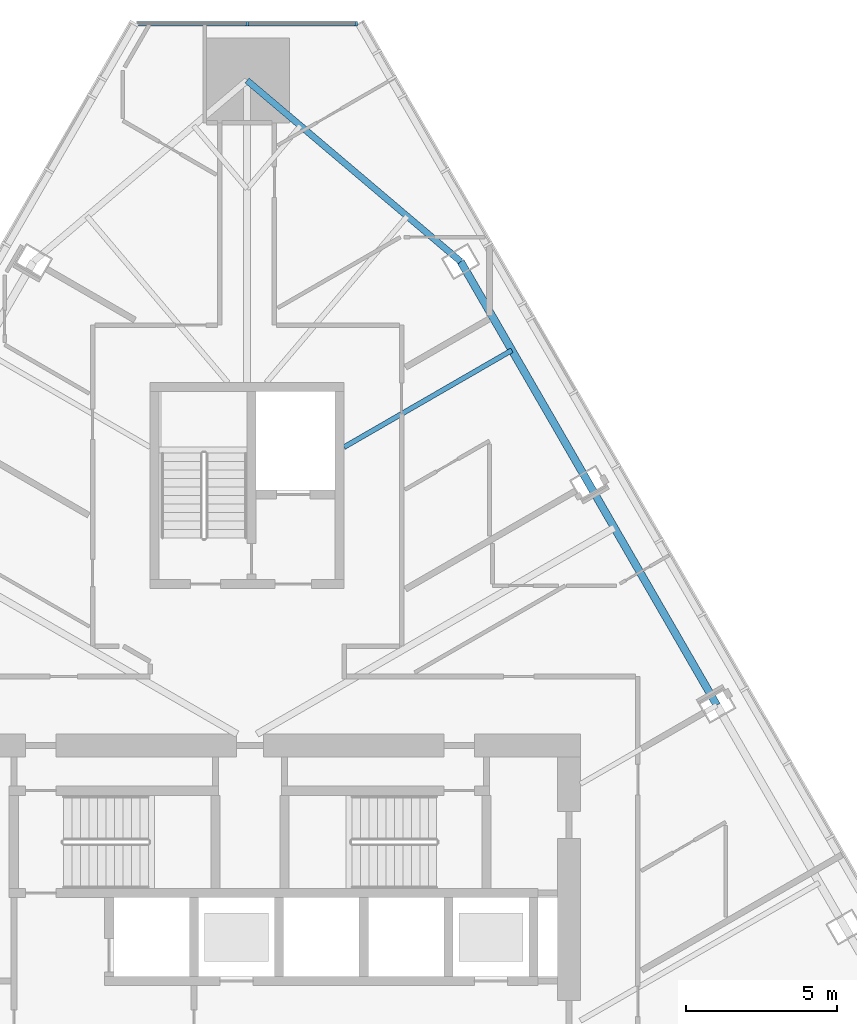
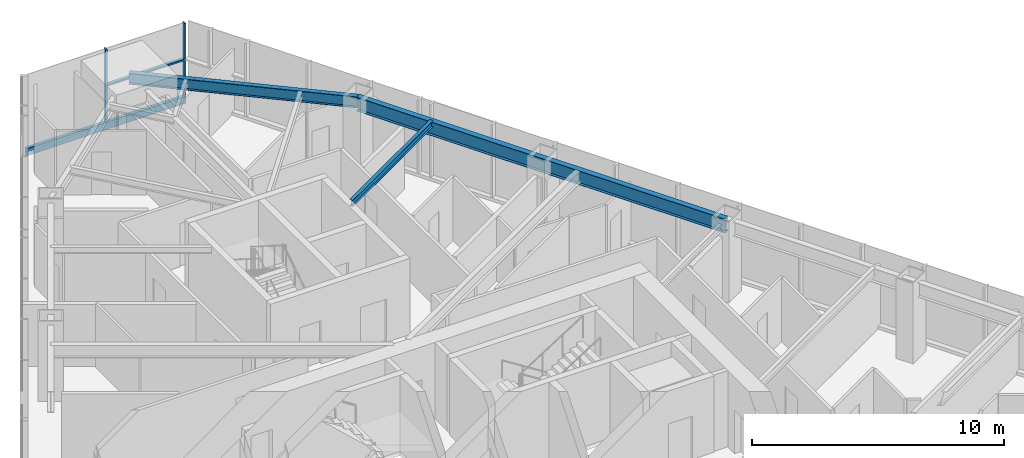
# One storey, part 11 of 20: 4 members, 3 beams, 1 element without a shape of its own.
"""IFC4 building model written with IfcOpenShell, lengths in metres."""

import ifcopenshell
import ifcopenshell.guid

model = None  # the IFC model being written
_history = None  # IfcOwnerHistory: only IFC2X3 demands one
_inside = {}  # id of a spatial element -> (the spatial element, [elements in it])
_under = {}  # id of a project, library or spatial element -> (it, [spatial elements below it])
_declared = {}  # id of a project -> (the project, [libraries it declares])
_typed = {}  # id of a type object -> (the type object, [elements of that type])
_made_of = {}  # id of a material, layer set ... -> (it, [elements and type objects made of it])


def new_model(schema):
    """Start an empty IFC model of exactly this schema.

    Asked for "IFC4X3", IfcOpenShell would pick the latest addendum, in which some entities
    have other attributes; the version numbers below select the first issue.
    IFC2X3 requires an IfcOwnerHistory on every rooted entity: one is made here for all.
    """
    global model, _history
    if schema == "IFC4X3":
        model = ifcopenshell.file(schema_version=(4, 3, 0, 0))
    else:
        model = ifcopenshell.file(schema=schema)
    _inside.clear()
    _under.clear()
    _declared.clear()
    _typed.clear()
    _made_of.clear()
    _history = None
    if model.schema == "IFC2X3":
        org = make("IfcOrganization", Name="unknown")
        user = make(
            "IfcPersonAndOrganization",
            ThePerson=make("IfcPerson", FamilyName="unknown"),
            TheOrganization=org,
        )
        app = make(
            "IfcApplication",
            ApplicationDeveloper=org,
            Version="unknown",
            ApplicationFullName="unknown",
            ApplicationIdentifier="unknown",
        )
        _history = make(
            "IfcOwnerHistory",
            OwningUser=user,
            OwningApplication=app,
            ChangeAction="ADDED",
            CreationDate=0,
        )
    return model


def make(cls, **values):
    """One entity of the class cls with the attributes given. An attribute that is None is left unset."""
    return model.create_entity(
        cls, **{name: value for name, value in values.items() if value is not None}
    )


def rooted(cls, **values):
    """An entity with a GlobalId (a new one), such as an element, a storey or a relation."""
    return make(cls, GlobalId=ifcopenshell.guid.new(), OwnerHistory=_history, **values)


def si_unit(unit_type, name, prefix=None):
    """IfcSIUnit, for example si_unit("LENGTHUNIT", "METRE", prefix="MILLI")."""
    return make("IfcSIUnit", UnitType=unit_type, Prefix=prefix, Name=name)


def assignment(units):
    """IfcUnitAssignment: the units of a project."""
    return None if units is None else make("IfcUnitAssignment", Units=units)


def point(xyz):
    """IfcCartesianPoint."""
    return None if xyz is None else make("IfcCartesianPoint", Coordinates=xyz)


def direction(xyz):
    """IfcDirection."""
    return None if xyz is None else make("IfcDirection", DirectionRatios=xyz)


def frame(location, z_axis=None, x_axis=None):
    """IfcAxis2Placement3D, a coordinate frame: its origin and axes. An axis left out is left unset."""
    return make(
        "IfcAxis2Placement3D",
        Location=point(location),
        Axis=direction(z_axis),
        RefDirection=direction(x_axis),
    )


def frame_2d(location, x_axis=None):
    """IfcAxis2Placement2D, a coordinate frame in the plane: its origin and x axis."""
    return make(
        "IfcAxis2Placement2D", Location=point(location), RefDirection=direction(x_axis)
    )


def origin():
    """The frame at (0, 0, 0) with its axes left unset."""
    return frame((0.0, 0.0, 0.0))


def origin_2d():
    """The frame at (0, 0) in the plane with its x axis left unset."""
    return frame_2d((0.0, 0.0))


def place(relative_to, where):
    """IfcLocalPlacement: puts the frame where relative to a parent placement (None: the world)."""
    return make(
        "IfcLocalPlacement", PlacementRelTo=relative_to, RelativePlacement=where
    )


def context(
    kind, dimensions, precision=None, world=None, true_north=None, identifier=None
):
    """IfcGeometricRepresentationContext, for example the 3D "Model" context."""
    return make(
        "IfcGeometricRepresentationContext",
        ContextIdentifier=identifier,
        ContextType=kind,
        CoordinateSpaceDimension=dimensions,
        Precision=precision,
        WorldCoordinateSystem=world,
        TrueNorth=true_north,
    )


def subcontext(parent, identifier, kind, view, scale=None):
    """IfcGeometricRepresentationSubContext, for example "Body" below "Model"."""
    return make(
        "IfcGeometricRepresentationSubContext",
        ContextIdentifier=identifier,
        ContextType=kind,
        ParentContext=parent,
        TargetScale=scale,
        TargetView=view,
    )


def project(units=None, contexts=None):
    """IfcProject with its units and contexts."""
    return rooted(
        "IfcProject",
        Name="project",
        RepresentationContexts=contexts,
        UnitsInContext=assignment(units),
    )


def spatial(cls, under=None, at=None, **own):
    """A site, building, storey or space (cls), placed at a placement, below another one or the project."""
    s = rooted(cls, ObjectPlacement=at, **own)
    if under is not None:
        _under.setdefault(under.id(), (under, []))[1].append(s)
    return s


def profile(cls, at=None, kind="AREA", **sizes):
    """A parametric profile (cls). Its sizes go by their IFC names, for example OverallWidth=200.0."""
    return make(cls, ProfileType=kind, Position=at, **sizes)


def rectangle(**sizes):
    """IfcRectangleProfileDef."""
    return profile("IfcRectangleProfileDef", **sizes)


def i_section(**sizes):
    """IfcIShapeProfileDef."""
    return profile("IfcIShapeProfileDef", **sizes)


def extrude(swept, where, along, depth):
    """IfcExtrudedAreaSolid: the profile swept, set in the frame where, extruded along a direction by depth."""
    return make(
        "IfcExtrudedAreaSolid",
        SweptArea=swept,
        Position=where,
        ExtrudedDirection=direction(along),
        Depth=depth,
    )


def shape(context_of_items, identifier, shape_type, items):
    """IfcShapeRepresentation: the items that make up one representation, for example the "Body"."""
    return make(
        "IfcShapeRepresentation",
        ContextOfItems=context_of_items,
        RepresentationIdentifier=identifier,
        RepresentationType=shape_type,
        Items=items,
    )


def material(Name=None, Category=None):
    """IfcMaterial."""
    return make("IfcMaterial", Name=Name, Category=Category)


def layer(
    of_material, thickness, ventilated=None, Name=None, Category=None, Priority=None
):
    """IfcMaterialLayer: one layer of a wall or slab, of a material (None: an air gap)."""
    return make(
        "IfcMaterialLayer",
        Material=of_material,
        LayerThickness=thickness,
        IsVentilated=ventilated,
        Name=Name,
        Category=Category,
        Priority=Priority,
    )


def layer_set(layers, Name=None):
    """IfcMaterialLayerSet."""
    return make("IfcMaterialLayerSet", MaterialLayers=layers, LayerSetName=Name)


def material_profile(
    of_material, cross_section, Name=None, Category=None, Priority=None
):
    """IfcMaterialProfile: a cross section and its material."""
    return make(
        "IfcMaterialProfile",
        Name=Name,
        Material=of_material,
        Profile=cross_section,
        Priority=Priority,
        Category=Category,
    )


def profile_set(profiles, Name=None, composite=None):
    """IfcMaterialProfileSet."""
    return make(
        "IfcMaterialProfileSet",
        Name=Name,
        MaterialProfiles=profiles,
        CompositeProfile=composite,
    )


def made_of(thing, what):
    """Note that an element or type object is made of a material, layer set ...; save() writes the relation."""
    if what is not None:
        _made_of.setdefault(what.id(), (what, []))[1].append(thing)
    return thing


def type_object(cls, material=None, **own):
    """A type object (cls), such as IfcWallType, which elements share."""
    return made_of(rooted(cls, **own), material)


def element(
    cls,
    number,
    at=None,
    inside=None,
    cuts=None,
    type_object=None,
    material=None,
    context=None,
    identifier="Body",
    shape_type=None,
    held_by="IfcProductDefinitionShape",
    body=None,
    shapes=None,
    **own,
):
    """One element of the class cls, such as IfcWall. Its Tag is "e" and its number.

    at: its placement. inside: the storey or other place that contains it. cuts: it is an
    opening in that element (IfcRelVoidsElement). A single representation is given by context,
    identifier, shape_type and body (its items); several are given by shapes. held_by: the class
    of the entity that holds the representations. save() writes the other relations.
    """
    e = rooted(cls, Tag="e%d" % number, ObjectPlacement=at, **own)
    if body is not None:
        shapes = [shape(context, identifier, shape_type, body)]
    if shapes is not None:
        e.Representation = make(held_by, Representations=shapes)
    if inside is not None:
        _inside.setdefault(inside.id(), (inside, []))[1].append(e)
    if cuts is not None:
        rooted(
            "IfcRelVoidsElement", RelatingBuildingElement=cuts, RelatedOpeningElement=e
        )
    if type_object is not None:
        _typed.setdefault(type_object.id(), (type_object, []))[1].append(e)
    return made_of(e, material)


def aggregate(whole, parts):
    """IfcRelAggregates: a whole, such as a stair, and the parts it consists of."""
    return rooted("IfcRelAggregates", RelatingObject=whole, RelatedObjects=parts)


def save(model, path):
    """Write the relations noted so far, then the file.

    IfcRelAggregates (storeys below a building ...), IfcRelContainedInSpatialStructure (elements
    in a storey), IfcRelDefinesByType, IfcRelAssociatesMaterial and IfcRelDeclares: one each for
    every whole, place, type object, material and project.
    """
    for whole, parts in _under.values():
        aggregate(whole, parts)
    for where, things in _inside.values():
        rooted(
            "IfcRelContainedInSpatialStructure",
            RelatedElements=things,
            RelatingStructure=where,
        )
    for kind, things in _typed.values():
        rooted("IfcRelDefinesByType", RelatedObjects=things, RelatingType=kind)
    for what, things in _made_of.values():
        rooted("IfcRelAssociatesMaterial", RelatedObjects=things, RelatingMaterial=what)
    for by, libraries in _declared.values():
        rooted("IfcRelDeclares", RelatingContext=by, RelatedDefinitions=libraries)
    model.write(path)


model = new_model("IFC4")

# Units and contexts
model_context = context("Model", 3, precision=1e-05, world=origin(), true_north=direction((0.0, 1.0)))
body_context = subcontext(model_context, "Body", "Model", "MODEL_VIEW")
ifc_project = project(units=[si_unit("LENGTHUNIT", "METRE"), si_unit("AREAUNIT", "SQUARE_METRE"), si_unit("VOLUMEUNIT", "CUBIC_METRE"), si_unit("PLANEANGLEUNIT", "RADIAN"), si_unit("MASSUNIT", "GRAM", prefix="KILO")], contexts=[model_context])

# Site, building, storey
site_placement = place(None, origin())
site = spatial("IfcSite", under=ifc_project, at=site_placement, CompositionType="ELEMENT")
building_placement = place(site_placement, origin())
building = spatial("IfcBuilding", under=site, at=building_placement, Name="Firuza Gate Tower and Library", CompositionType="ELEMENT")
storey_placement = place(building_placement, frame((0.0, 0.0, 214.300048828125)))
storey = spatial("IfcBuildingStorey", under=building, at=storey_placement, Name="L50", CompositionType="ELEMENT", Elevation=214.300048828125)

# Curtain wall, members
ifc_material_1 = material(Name="Aluminium 6063-T6", Category="aluminium")
ifc_layer = layer(ifc_material_1, 0.14990234375)
ifc_layer_set = layer_set([ifc_layer], Name="Corner curtain wall, chamfers")
curtain_wall_type = type_object("IfcCurtainWallType", Name="Corner curtain wall, chamfers", PredefinedType="NOTDEFINED", material=ifc_layer_set)
curtain_wall_placement = place(storey_placement, origin())
curtain_wall = element("IfcCurtainWall", 1, at=curtain_wall_placement, inside=storey, type_object=curtain_wall_type, Name="CW4 L50 N corner", PredefinedType="NOTDEFINED")
ifc_material_2 = material(Name="Aluminium 6063-T6", Category="aluminium")
ifc_material_profile_1 = material_profile(ifc_material_2, rectangle(XDim=0.14990234375, YDim=0.080078125, at=origin_2d()))
ifc_profile_set_1 = profile_set([ifc_material_profile_1], Name="Aluminium 6063-T6")
member_type_1 = type_object("IfcMemberType", Name="Curtain wall mullion 80x150", PredefinedType="MULLION", material=ifc_profile_set_1)
member_1_placement = place(storey_placement, frame((78.603271484375, 106.44482421875, 0.14990234375), z_axis=(0.0, 0.0, 1.0), x_axis=(0.0, -1.0, 0.0)))
member_1 = element("IfcMember", 2, at=member_1_placement, type_object=member_type_1, Name="Mullion", PredefinedType="MULLION", context=body_context, shape_type="SweptSolid", body=[
    extrude(rectangle(XDim=0.14990234375, YDim=0.080078125, at=origin_2d()), origin(), (0.0, 0.0, 1.0), 3.550048828125),
])
member_2_placement = place(storey_placement, frame((75.0, 106.44482421875, 0.14990234375), z_axis=(0.0, 0.0, 1.0), x_axis=(0.0, -1.0, 0.0)))
member_2 = element("IfcMember", 3, at=member_2_placement, type_object=member_type_1, Name="Mullion", PredefinedType="MULLION", context=body_context, shape_type="SweptSolid", body=[
    extrude(rectangle(XDim=0.14990234375, YDim=0.080078125, at=origin_2d()), origin(), (0.0, 0.0, 1.0), 3.550048828125),
])
ifc_material_3 = material(Name="Aluminium 6063-T6", Category="aluminium")
ifc_material_profile_2 = material_profile(ifc_material_3, rectangle(XDim=0.14990234375, YDim=0.35009765625, at=origin_2d()))
ifc_profile_set_2 = profile_set([ifc_material_profile_2], Name="Aluminium 6063-T6")
member_type_2 = type_object("IfcMemberType", Name="Curtain wall transom 350x150", PredefinedType="USERDEFINED", material=ifc_profile_set_2)
member_3_placement = place(storey_placement, frame((78.643310546875, 106.44482421875, -0.025146484375), z_axis=(-1.0, 0.0, 0.0), x_axis=(0.0, -1.0, 0.0)))
member_3 = element("IfcMember", 4, at=member_3_placement, type_object=member_type_2, Name="Transom", ObjectType="TRANSOM", PredefinedType="USERDEFINED", context=body_context, shape_type="SweptSolid", body=[
    extrude(rectangle(XDim=0.14990234375, YDim=0.35009765625, at=origin_2d()), origin(), (0.0, 0.0, 1.0), 7.28662109375),
])
ifc_material_4 = material(Name="Aluminium 6063-T6", Category="aluminium")
ifc_material_profile_3 = material_profile(ifc_material_4, rectangle(XDim=0.14990234375, YDim=0.080078125, at=origin_2d()))
ifc_profile_set_3 = profile_set([ifc_material_profile_3], Name="Aluminium 6063-T6")
member_type_3 = type_object("IfcMemberType", Name="Curtain wall transom 80x150", PredefinedType="USERDEFINED", material=ifc_profile_set_3)
member_4_placement = place(storey_placement, frame((78.603271484375, 106.44482421875, 1.925048828125), z_axis=(-1.0, 0.0, 0.0), x_axis=(0.0, -1.0, 0.0)))
member_4 = element("IfcMember", 5, at=member_4_placement, type_object=member_type_3, Name="Transom", ObjectType="TRANSOM", PredefinedType="USERDEFINED", context=body_context, shape_type="SweptSolid", body=[
    extrude(rectangle(XDim=0.14990234375, YDim=0.080078125, at=origin_2d()), origin(), (0.0, 0.0, 1.0), 3.563232421875),
])
aggregate(curtain_wall, [member_1, member_2, member_3, member_4])

# Beams
ifc_material_5 = material(Name="Steel S355", Category="steel")
ifc_material_profile_4 = material_profile(ifc_material_5, i_section(OverallWidth=0.1650390625, OverallDepth=0.31005859375, WebThickness=0.005859375, FlangeThickness=0.009765625, at=origin_2d()))
ifc_profile_set_4 = profile_set([ifc_material_profile_4], Name="Steel S355")
beam_type_1 = type_object("IfcBeamType", Name="W310x39 Floor beam", PredefinedType="JOIST", material=ifc_profile_set_4)
beam_1_placement = place(storey_placement, frame((83.739501953125, 95.667724609375, 3.544921875), z_axis=(-0.866026686418, -0.499997778408, 0.0), x_axis=(0.499997778408, -0.866026686418, 0.0)))
element("IfcBeam", 6, at=beam_1_placement, inside=storey, type_object=beam_type_1, Name="Floor beam L50 s54", PredefinedType="JOIST", context=body_context, shape_type="SweptSolid", body=[
    extrude(i_section(OverallWidth=0.1650390625, OverallDepth=0.31005859375, WebThickness=0.005859375, FlangeThickness=0.009765625, at=origin_2d()), origin(), (0.0, 0.0, 1.0), 6.396484375),
])
ifc_material_6 = material(Name="Steel S355", Category="steel")
ifc_material_profile_5 = material_profile(ifc_material_6, i_section(OverallWidth=0.212890625, OverallDepth=0.5390625, WebThickness=0.01171875, FlangeThickness=0.018798828125, at=origin_2d()))
ifc_profile_set_5 = profile_set([ifc_material_profile_5], Name="Steel S355")
beam_type_2 = type_object("IfcBeamType", Name="W530x109 Edge beam", PredefinedType="SPANDREL", material=ifc_profile_set_5)
beam_2_placement = place(storey_placement, frame((82.04833984375, 98.596923828125, 3.430419921875), z_axis=(-0.762909959778, 0.646504751159, 0.0), x_axis=(-0.646504751159, -0.762909959778, 0.0)))
element("IfcBeam", 7, at=beam_2_placement, inside=storey, type_object=beam_type_2, Name="Edge beam L50 e60", PredefinedType="SPANDREL", context=body_context, shape_type="SweptSolid", body=[
    extrude(i_section(OverallWidth=0.212890625, OverallDepth=0.5390625, WebThickness=0.01171875, FlangeThickness=0.018798828125, at=origin_2d()), origin(), (0.0, 0.0, 1.0), 9.23876953125),
])
ifc_material_7 = material(Name="Steel S355", Category="steel")
ifc_material_profile_6 = material_profile(ifc_material_7, i_section(OverallWidth=0.2529296875, OverallDepth=0.677978515625, WebThickness=0.01171875, FlangeThickness=0.016357421875, at=origin_2d()))
ifc_profile_set_6 = profile_set([ifc_material_profile_6], Name="Steel S355")
beam_type_3 = type_object("IfcBeamType", Name="W690x125 Edge beam", PredefinedType="SPANDREL", material=ifc_profile_set_6)
beam_3_placement = place(storey_placement, frame((90.504150390625, 83.951171875, 3.36083984375), z_axis=(-0.500003623902, 0.866023311513, 0.0), x_axis=(-0.866023311513, -0.500003623902, 0.0)))
element("IfcBeam", 8, at=beam_3_placement, inside=storey, type_object=beam_type_3, Name="Edge beam L50 e52", PredefinedType="SPANDREL", context=body_context, shape_type="SweptSolid", body=[
    extrude(i_section(OverallWidth=0.2529296875, OverallDepth=0.677978515625, WebThickness=0.01171875, FlangeThickness=0.016357421875, at=origin_2d()), origin(), (0.0, 0.0, 1.0), 16.911376953125),
])

save(model, "model.ifc")
